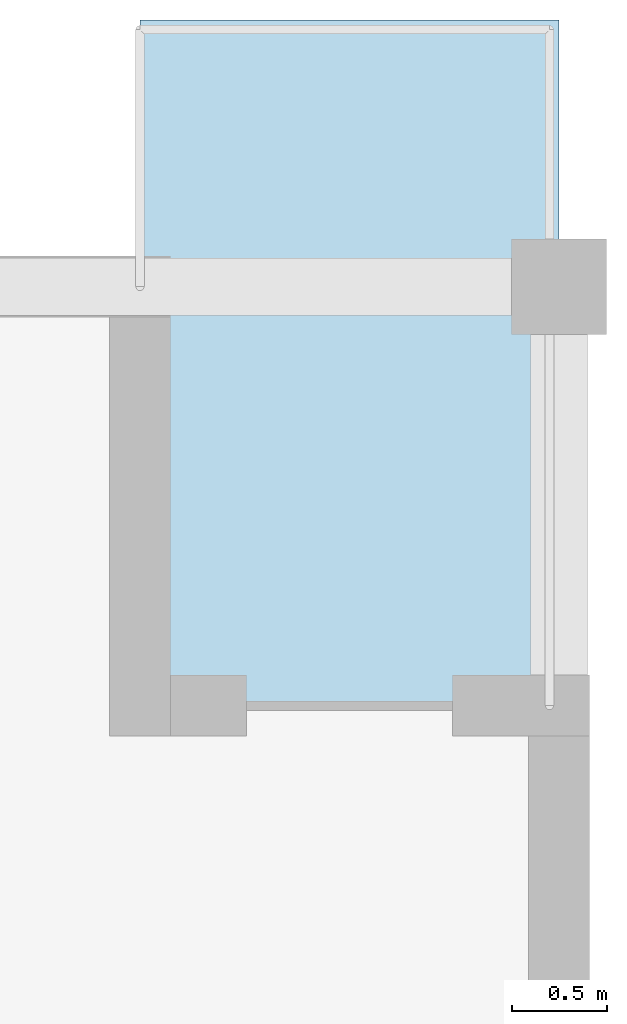
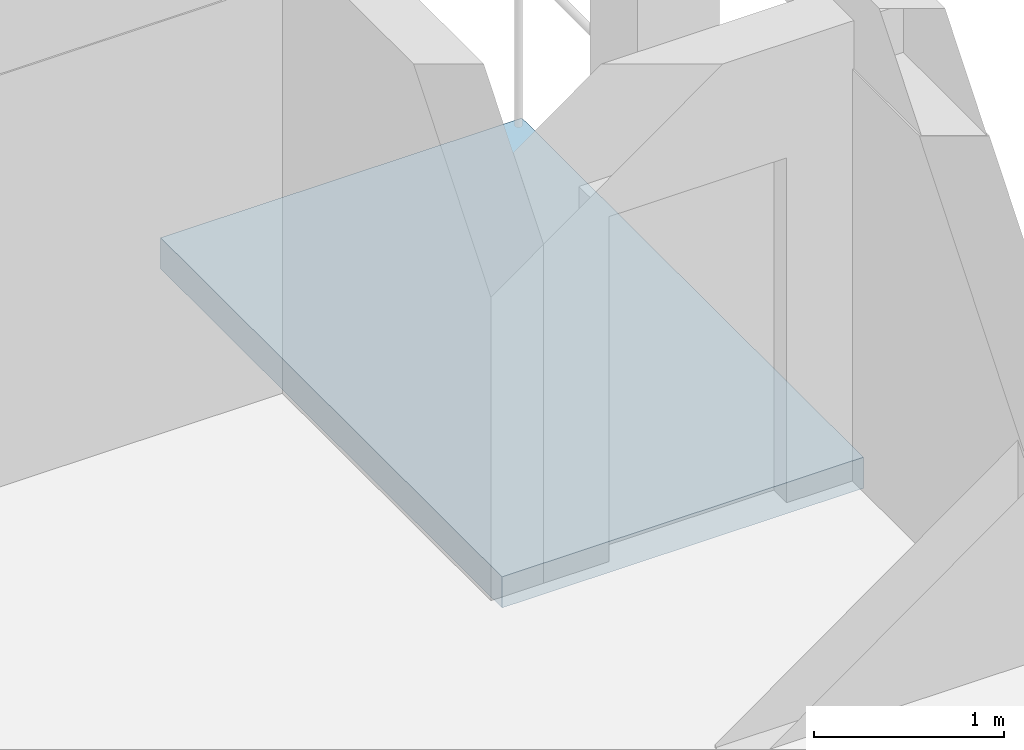
# One storey, part 26 of 53: 1 slab.
"""IFC4 building model written with IfcOpenShell, lengths in metres."""

from ifc_helpers import new_model, si_unit, direction, frame, origin, place, context, subcontext, project, spatial, polyline, outline, extrude, material, layer, layer_set, type_object, element, save


model = new_model("IFC4")

# Units and contexts
model_context = context("Model", 3, precision=1e-05, world=origin(), true_north=direction((0.0, 1.0)))
body_context = subcontext(model_context, "Body", "Model", "MODEL_VIEW")
ifc_project = project(units=[si_unit("LENGTHUNIT", "METRE"), si_unit("AREAUNIT", "SQUARE_METRE"), si_unit("VOLUMEUNIT", "CUBIC_METRE"), si_unit("PLANEANGLEUNIT", "RADIAN"), si_unit("MASSUNIT", "GRAM", prefix="KILO")], contexts=[model_context])

# Site, building, storey
site_placement = place(None, origin())
site = spatial("IfcSite", under=ifc_project, at=site_placement, CompositionType="ELEMENT")
building_placement = place(site_placement, origin())
building = spatial("IfcBuilding", under=site, at=building_placement, Name="Kernevlak Ridge Housing Community", CompositionType="ELEMENT")
storey_placement = place(building_placement, frame((0.0, 0.0, 18.0)))
storey = spatial("IfcBuildingStorey", under=building, at=storey_placement, Name="L05", CompositionType="ELEMENT", Elevation=18.0)

# Slab
ifc_material = material(Name="Concrete C35/45", Category="concrete")
ifc_layer = layer(ifc_material, 0.199951171875, Name="Concrete C35/45")
ifc_layer_set = layer_set([ifc_layer], Name="Concrete C35/45")
slab_type = type_object("IfcSlabType", Name="SL-05", PredefinedType="FLOOR", material=ifc_layer_set)
slab_placement = place(storey_placement, frame((0.0, 0.0, -0.199951171875)))
element("IfcSlab", 1, at=slab_placement, inside=storey, type_object=slab_type, Name="Block B L05 corner balcony deck slab", PredefinedType="FLOOR", context=body_context, shape_type="SweptSolid", body=[
    extrude(outline(polyline([(150.199951171875, 100.199951171875), (152.39990234375, 100.199951171875), (152.39990234375, 103.800048828125), (150.199951171875, 103.800048828125), (150.199951171875, 100.199951171875)])), origin(), (0.0, 0.0, 1.0), 0.199951171875),
])

save(model, "model.ifc")
